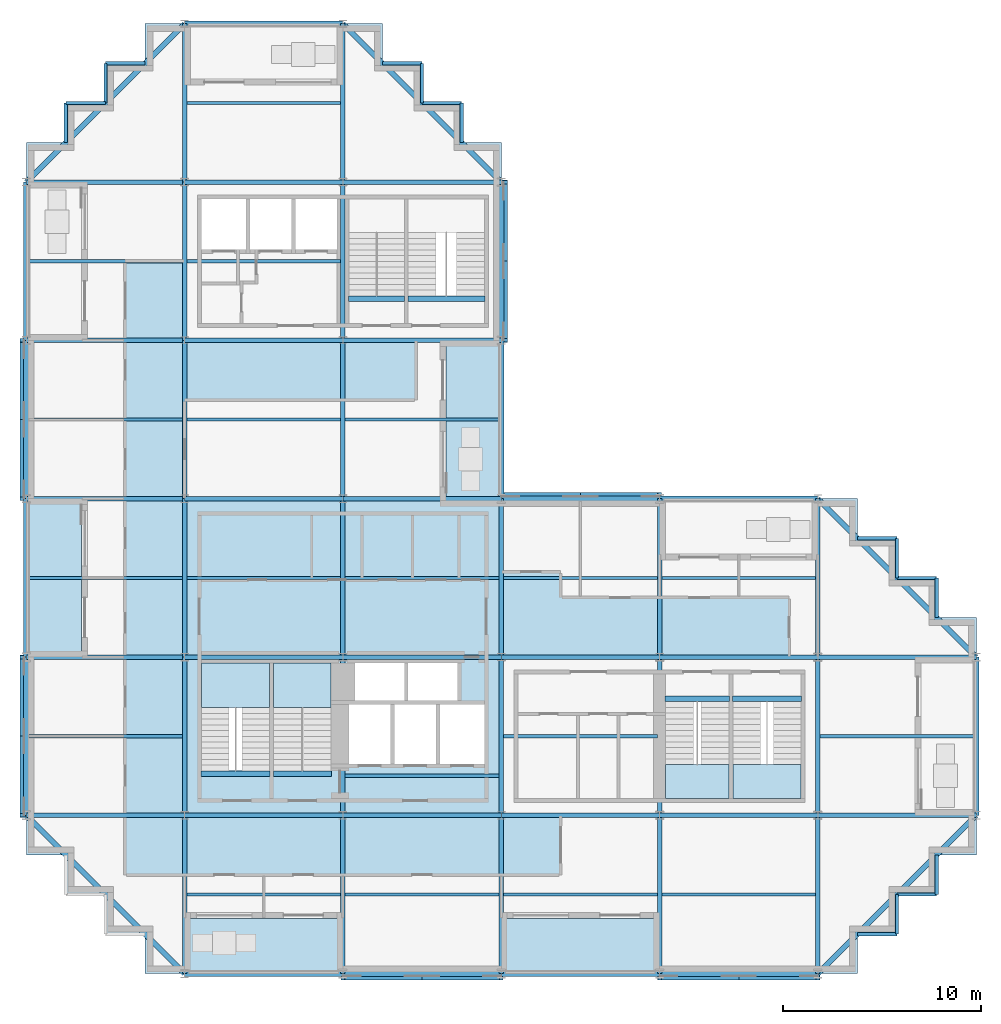
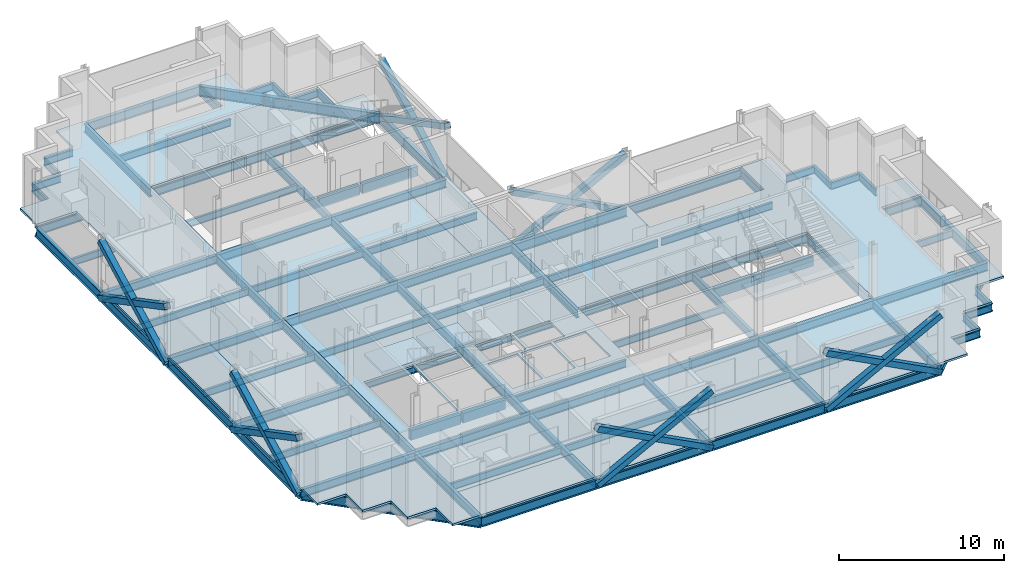
# One storey, part 3 of 12: 102 beams, 12 members, 10 slabs, 4 elements without a shape of their own.
"""IFC4 building model written with IfcOpenShell, lengths in metres."""

from ifc_helpers import new_model, si_unit, direction, frame, origin, origin_2d, place, context, subcontext, project, spatial, polyline, rectangle, hollow_rectangle, i_section, outline, extrude, material, layer, layer_set, material_profile, profile_set, type_object, element, aggregate, save


model = new_model("IFC4")

# Units and contexts
model_context = context("Model", 3, precision=1e-05, world=origin(), true_north=direction((0.0, 1.0)))
body_context = subcontext(model_context, "Body", "Model", "MODEL_VIEW")
ifc_project = project(units=[si_unit("LENGTHUNIT", "METRE"), si_unit("AREAUNIT", "SQUARE_METRE"), si_unit("VOLUMEUNIT", "CUBIC_METRE"), si_unit("PLANEANGLEUNIT", "RADIAN"), si_unit("MASSUNIT", "GRAM", prefix="KILO")], contexts=[model_context])

# Site, building, storey
site_placement = place(None, origin())
site = spatial("IfcSite", under=ifc_project, at=site_placement, CompositionType="ELEMENT")
building_placement = place(site_placement, origin())
building = spatial("IfcBuilding", under=site, at=building_placement, Name="Immortelle Media Tower", CompositionType="ELEMENT")
storey_placement = place(building_placement, frame((0.0, 0.0, 132.60009765625)))
storey = spatial("IfcBuildingStorey", under=building, at=storey_placement, Name="L26", CompositionType="ELEMENT", Elevation=132.60009765625)

# Members
ifc_material_1 = material(Name="Steel ASTM A500 Gr C", Category="steel")
ifc_material_profile_1 = material_profile(ifc_material_1, hollow_rectangle(XDim=0.406005859375, YDim=0.406005859375, WallThickness=0.011962890625, at=origin_2d()), Name="HSS16x16x1/2 brace")
ifc_profile_set_1 = profile_set([ifc_material_profile_1], Name="Steel ASTM A500 Gr C")
member_type = type_object("IfcMemberType", Name="HSS16x16x1/2 brace", PredefinedType="BRACE", material=ifc_profile_set_1)
for number, where, z_axis, x_axis, name in (
    (1, (16.0, -0.113037109375, -0.49658203125), (0.885400126936, 0.0, 0.464829662588), (0.0, 1.0, 0.0), "Brace A/3-4 A"),
    (2, (16.0, -0.113037109375, 3.703369140625), (0.885400126936, 0.0, -0.464829662588), (0.0, 1.0, 0.0), "Brace A/3-4 B"),
    (3, (32.0, -0.113037109375, -0.49658203125), (0.885400126936, 0.0, 0.464829662588), (0.0, 1.0, 0.0), "Brace A/5-6 A"),
    (4, (32.0, -0.113037109375, 3.703369140625), (0.885400126936, 0.0, -0.464829662588), (0.0, 1.0, 0.0), "Brace A/5-6 B"),
    (5, (32.0, 24.113037109375, -0.49658203125), (-0.885400126936, 0.0, 0.464829662588), (0.0, -1.0, 0.0), "Brace D/4-5 A"),
    (6, (32.0, 24.113037109375, 3.703369140625), (-0.885400126936, 0.0, -0.464829662588), (0.0, -1.0, 0.0), "Brace D/4-5 B"),
    (7, (24.113037109375, 32.0, -0.49658203125), (0.0, 0.885400126936, 0.464829662588), (-1.0, 0.0, 0.0), "Brace 4/E-F A"),
    (8, (24.113037109375, 32.0, 3.703369140625), (0.0, 0.885400126936, -0.464829662588), (-1.0, 0.0, 0.0), "Brace 4/E-F B"),
    (9, (-0.113037109375, 32.0, -0.49658203125), (0.0, -0.885400126936, 0.464829662588), (1.0, 0.0, 0.0), "Brace 1/D-E A"),
    (10, (-0.113037109375, 32.0, 3.703369140625), (0.0, -0.885400126936, -0.464829662588), (1.0, 0.0, 0.0), "Brace 1/D-E B"),
    (11, (-0.113037109375, 16.0, -0.49658203125), (0.0, -0.885400126936, 0.464829662588), (1.0, 0.0, 0.0), "Brace 1/B-C A"),
    (12, (-0.113037109375, 16.0, 3.703369140625), (0.0, -0.885400126936, -0.464829662588), (1.0, 0.0, 0.0), "Brace 1/B-C B"),
):
    element("IfcMember", number, at=place(storey_placement, frame(where, z_axis=z_axis, x_axis=x_axis)), inside=storey, type_object=member_type, Name=name, PredefinedType="BRACE", context=body_context, shape_type="SweptSolid", body=[
        extrude(hollow_rectangle(XDim=0.406005859375, YDim=0.406005859375, WallThickness=0.011962890625, at=origin_2d()), origin(), (0.0, 0.0, 1.0), 9.035400390625),
    ])

# Beams
ifc_material_2 = material(Name="Concrete C50/60", Category="concrete")
ifc_material_profile_2 = material_profile(ifc_material_2, rectangle(XDim=0.300048828125, YDim=0.699951171875, at=origin_2d()), Name="RC 300x700")
ifc_profile_set_2 = profile_set([ifc_material_profile_2], Name="Concrete C50/60")
beam_type_1 = type_object("IfcBeamType", Name="Stair trimmer beam 300 x 700", PredefinedType="BEAM", material=ifc_profile_set_2)
beam_1_placement = place(storey_placement, frame((8.830078125, 10.10498046875, -0.5), z_axis=(1.0, 0.0, 0.0), x_axis=(0.0, 1.0, 0.0)))
element("IfcBeam", 13, at=beam_1_placement, inside=storey, type_object=beam_type_1, Name="Stair trimmer beam SW1", PredefinedType="BEAM", context=body_context, shape_type="SweptSolid", body=[
    extrude(rectangle(XDim=0.300048828125, YDim=0.699951171875, at=origin_2d()), origin(), (0.0, 0.0, 1.0), 3.489990234375),
])
beam_2_placement = place(storey_placement, frame((12.47998046875, 10.10498046875, -0.5), z_axis=(1.0, 0.0, 0.0), x_axis=(0.0, 1.0, 0.0)))
element("IfcBeam", 14, at=beam_2_placement, inside=storey, type_object=beam_type_1, Name="Stair trimmer beam SW2", PredefinedType="BEAM", context=body_context, shape_type="SweptSolid", body=[
    extrude(rectangle(XDim=0.300048828125, YDim=0.699951171875, at=origin_2d()), origin(), (0.0, 0.0, 1.0), 2.93994140625),
])
beam_3_placement = place(storey_placement, frame((32.280029296875, 13.89501953125, -0.5), z_axis=(1.0, 0.0, 0.0), x_axis=(0.0, 1.0, 0.0)))
element("IfcBeam", 15, at=beam_3_placement, inside=storey, type_object=beam_type_1, Name="Stair trimmer beam SE1", PredefinedType="BEAM", context=body_context, shape_type="SweptSolid", body=[
    extrude(rectangle(XDim=0.300048828125, YDim=0.699951171875, at=origin_2d()), origin(), (0.0, 0.0, 1.0), 3.239990234375),
])
beam_4_placement = place(storey_placement, frame((35.679931640625, 13.89501953125, -0.5), z_axis=(1.0, 0.0, 0.0), x_axis=(0.0, 1.0, 0.0)))
element("IfcBeam", 16, at=beam_4_placement, inside=storey, type_object=beam_type_1, Name="Stair trimmer beam SE2", PredefinedType="BEAM", context=body_context, shape_type="SweptSolid", body=[
    extrude(rectangle(XDim=0.300048828125, YDim=0.699951171875, at=origin_2d()), origin(), (0.0, 0.0, 1.0), 3.489990234375),
])
beam_5_placement = place(storey_placement, frame((16.280029296875, 34.10498046875, -0.5), z_axis=(1.0, 0.0, 0.0), x_axis=(0.0, 1.0, 0.0)))
element("IfcBeam", 17, at=beam_5_placement, inside=storey, type_object=beam_type_1, Name="Stair trimmer beam NW1", PredefinedType="BEAM", context=body_context, shape_type="SweptSolid", body=[
    extrude(rectangle(XDim=0.300048828125, YDim=0.699951171875, at=origin_2d()), origin(), (0.0, 0.0, 1.0), 2.840087890625),
])
beam_6_placement = place(storey_placement, frame((19.280029296875, 34.10498046875, -0.5), z_axis=(1.0, 0.0, 0.0), x_axis=(0.0, 1.0, 0.0)))
element("IfcBeam", 18, at=beam_6_placement, inside=storey, type_object=beam_type_1, Name="Stair trimmer beam NW2", PredefinedType="BEAM", context=body_context, shape_type="SweptSolid", body=[
    extrude(rectangle(XDim=0.300048828125, YDim=0.699951171875, at=origin_2d()), origin(), (0.0, 0.0, 1.0), 3.889892578125),
])
ifc_material_3 = material(Name="Steel ASTM A992 Gr 50", Category="steel")
ifc_material_profile_3 = material_profile(ifc_material_3, i_section(OverallWidth=0.1650390625, OverallDepth=0.52587890625, WebThickness=0.009033203125, FlangeThickness=0.010986328125, at=origin_2d()), Name="W21x44")
ifc_profile_set_3 = profile_set([ifc_material_profile_3], Name="Steel ASTM A992 Gr 50")
beam_type_2 = type_object("IfcBeamType", Name="W21x44 secondary beam", PredefinedType="JOIST", material=ifc_profile_set_3)
for number, where, z_axis, x_axis, name in (
    (19, (8.114501953125, 4.0, -0.4130859375), (1.0, 0.0, 0.0), (0.0, 1.0, 0.0), "Beam A-B/2-3"),
    (20, (16.114501953125, 4.0, -0.4130859375), (1.0, 0.0, 0.0), (0.0, 1.0, 0.0), "Beam A-B/3-4"),
    (21, (24.114501953125, 4.0, -0.4130859375), (1.0, 0.0, 0.0), (0.0, 1.0, 0.0), "Beam A-B/4-5"),
    (22, (32.114501953125, 4.0, -0.4130859375), (1.0, 0.0, 0.0), (0.0, 1.0, 0.0), "Beam A-B/5-6"),
):
    element("IfcBeam", number, at=place(storey_placement, frame(where, z_axis=z_axis, x_axis=x_axis)), inside=storey, type_object=beam_type_2, Name=name, PredefinedType="JOIST", context=body_context, shape_type="SweptSolid", body=[
        extrude(i_section(OverallWidth=0.1650390625, OverallDepth=0.52587890625, WebThickness=0.009033203125, FlangeThickness=0.010986328125, at=origin_2d()), origin(), (0.0, 0.0, 1.0), 7.77099609375),
    ])
beam_7_placement = place(storey_placement, frame((0.12841796875, 12.0, -0.4130859375), z_axis=(1.0, 0.0, 0.0), x_axis=(0.0, 1.0, 0.0)))
element("IfcBeam", 23, at=beam_7_placement, inside=storey, type_object=beam_type_2, Name="Beam B-C/1-2", PredefinedType="JOIST", context=body_context, shape_type="SweptSolid", body=[
    extrude(i_section(OverallWidth=0.1650390625, OverallDepth=0.52587890625, WebThickness=0.009033203125, FlangeThickness=0.010986328125, at=origin_2d()), origin(), (0.0, 0.0, 1.0), 7.757080078125),
])
for number, where, z_axis, x_axis, name in (
    (24, (16.114501953125, 10.0, -0.4130859375), (1.0, 0.0, 0.0), (0.0, 1.0, 0.0), "Beam B-C/3-4"),
    (25, (24.114501953125, 12.0, -0.4130859375), (1.0, 0.0, 0.0), (0.0, 1.0, 0.0), "Beam B-C/4-5"),
):
    element("IfcBeam", number, at=place(storey_placement, frame(where, z_axis=z_axis, x_axis=x_axis)), inside=storey, type_object=beam_type_2, Name=name, PredefinedType="JOIST", context=body_context, shape_type="SweptSolid", body=[
        extrude(i_section(OverallWidth=0.1650390625, OverallDepth=0.52587890625, WebThickness=0.009033203125, FlangeThickness=0.010986328125, at=origin_2d()), origin(), (0.0, 0.0, 1.0), 7.77099609375),
    ])
for number, where, z_axis, x_axis, name in (
    (26, (40.114501953125, 12.0, -0.4130859375), (1.0, 0.0, 0.0), (0.0, 1.0, 0.0), "Beam B-C/6-7"),
    (27, (0.12841796875, 20.0, -0.4130859375), (1.0, 0.0, 0.0), (0.0, 1.0, 0.0), "Beam C-D/1-2"),
):
    element("IfcBeam", number, at=place(storey_placement, frame(where, z_axis=z_axis, x_axis=x_axis)), inside=storey, type_object=beam_type_2, Name=name, PredefinedType="JOIST", context=body_context, shape_type="SweptSolid", body=[
        extrude(i_section(OverallWidth=0.1650390625, OverallDepth=0.52587890625, WebThickness=0.009033203125, FlangeThickness=0.010986328125, at=origin_2d()), origin(), (0.0, 0.0, 1.0), 7.757080078125),
    ])
for number, where, z_axis, x_axis, name in (
    (28, (8.114501953125, 20.0, -0.4130859375), (1.0, 0.0, 0.0), (0.0, 1.0, 0.0), "Beam C-D/2-3"),
    (29, (16.114501953125, 20.0, -0.4130859375), (1.0, 0.0, 0.0), (0.0, 1.0, 0.0), "Beam C-D/3-4"),
    (30, (24.114501953125, 20.0, -0.4130859375), (1.0, 0.0, 0.0), (0.0, 1.0, 0.0), "Beam C-D/4-5"),
    (31, (32.114501953125, 20.0, -0.4130859375), (1.0, 0.0, 0.0), (0.0, 1.0, 0.0), "Beam C-D/5-6"),
):
    element("IfcBeam", number, at=place(storey_placement, frame(where, z_axis=z_axis, x_axis=x_axis)), inside=storey, type_object=beam_type_2, Name=name, PredefinedType="JOIST", context=body_context, shape_type="SweptSolid", body=[
        extrude(i_section(OverallWidth=0.1650390625, OverallDepth=0.52587890625, WebThickness=0.009033203125, FlangeThickness=0.010986328125, at=origin_2d()), origin(), (0.0, 0.0, 1.0), 7.77099609375),
    ])
beam_8_placement = place(storey_placement, frame((0.12841796875, 28.0, -0.4130859375), z_axis=(1.0, 0.0, 0.0), x_axis=(0.0, 1.0, 0.0)))
element("IfcBeam", 32, at=beam_8_placement, inside=storey, type_object=beam_type_2, Name="Beam D-E/1-2", PredefinedType="JOIST", context=body_context, shape_type="SweptSolid", body=[
    extrude(i_section(OverallWidth=0.1650390625, OverallDepth=0.52587890625, WebThickness=0.009033203125, FlangeThickness=0.010986328125, at=origin_2d()), origin(), (0.0, 0.0, 1.0), 7.757080078125),
])
beam_9_placement = place(storey_placement, frame((8.114501953125, 28.0, -0.4130859375), z_axis=(1.0, 0.0, 0.0), x_axis=(0.0, 1.0, 0.0)))
element("IfcBeam", 33, at=beam_9_placement, inside=storey, type_object=beam_type_2, Name="Beam D-E/2-3", PredefinedType="JOIST", context=body_context, shape_type="SweptSolid", body=[
    extrude(i_section(OverallWidth=0.1650390625, OverallDepth=0.52587890625, WebThickness=0.009033203125, FlangeThickness=0.010986328125, at=origin_2d()), origin(), (0.0, 0.0, 1.0), 7.77099609375),
])
for number, where, z_axis, x_axis, name in (
    (34, (16.114501953125, 28.0, -0.4130859375), (1.0, 0.0, 0.0), (0.0, 1.0, 0.0), "Beam D-E/3-4"),
    (35, (0.12841796875, 36.0, -0.4130859375), (1.0, 0.0, 0.0), (0.0, 1.0, 0.0), "Beam E-F/1-2"),
):
    element("IfcBeam", number, at=place(storey_placement, frame(where, z_axis=z_axis, x_axis=x_axis)), inside=storey, type_object=beam_type_2, Name=name, PredefinedType="JOIST", context=body_context, shape_type="SweptSolid", body=[
        extrude(i_section(OverallWidth=0.1650390625, OverallDepth=0.52587890625, WebThickness=0.009033203125, FlangeThickness=0.010986328125, at=origin_2d()), origin(), (0.0, 0.0, 1.0), 7.757080078125),
    ])
for number, where, z_axis, x_axis, name in (
    (36, (8.114501953125, 36.0, -0.4130859375), (1.0, 0.0, 0.0), (0.0, 1.0, 0.0), "Beam E-F/2-3"),
    (37, (8.114501953125, 44.0, -0.4130859375), (1.0, 0.0, 0.0), (0.0, 1.0, 0.0), "Beam F-G/2-3"),
):
    element("IfcBeam", number, at=place(storey_placement, frame(where, z_axis=z_axis, x_axis=x_axis)), inside=storey, type_object=beam_type_2, Name=name, PredefinedType="JOIST", context=body_context, shape_type="SweptSolid", body=[
        extrude(i_section(OverallWidth=0.1650390625, OverallDepth=0.52587890625, WebThickness=0.009033203125, FlangeThickness=0.010986328125, at=origin_2d()), origin(), (0.0, 0.0, 1.0), 7.77099609375),
    ])
ifc_material_profile_4 = material_profile(ifc_material_3, i_section(OverallWidth=0.1650390625, OverallDepth=0.52587890625, WebThickness=0.009033203125, FlangeThickness=0.010986328125, at=origin_2d()), Name="W21x44")
ifc_profile_set_4 = profile_set([ifc_material_profile_4], Name="Steel ASTM A992 Gr 50")
beam_type_3 = type_object("IfcBeamType", Name="W21x44 serration edge beam", PredefinedType="SPANDREL", material=ifc_profile_set_4)
for number, where, z_axis, x_axis, name in (
    (38, (2.0, 42.0, -0.4130859375), (0.0, 1.0, 0.0), (-1.0, 0.0, 0.0), "Corner edge beam 1 at 1/G"),
    (39, (2.0, 44.0, -0.4130859375), (1.0, 0.0, 0.0), (0.0, 1.0, 0.0), "Corner edge beam 2 at 1/G"),
    (40, (4.0, 44.0, -0.4130859375), (0.0, 1.0, 0.0), (-1.0, 0.0, 0.0), "Corner edge beam 3 at 1/G"),
    (41, (4.0, 46.0, -0.4130859375), (1.0, 0.0, 0.0), (0.0, 1.0, 0.0), "Corner edge beam 4 at 1/G"),
    (42, (18.0, 46.0, -0.4130859375), (1.0, 0.0, 0.0), (0.0, 1.0, 0.0), "Corner edge beam 1 at 4/G"),
    (43, (20.0, 46.0, -0.4130859375), (0.0, -1.0, 0.0), (1.0, 0.0, 0.0), "Corner edge beam 2 at 4/G"),
    (44, (20.0, 44.0, -0.4130859375), (1.0, 0.0, 0.0), (0.0, 1.0, 0.0), "Corner edge beam 3 at 4/G"),
    (45, (22.0, 44.0, -0.4130859375), (0.0, -1.0, 0.0), (1.0, 0.0, 0.0), "Corner edge beam 4 at 4/G"),
    (46, (46.0, 6.0, -0.4130859375), (0.0, -1.0, 0.0), (1.0, 0.0, 0.0), "Corner edge beam 1 at 7/A"),
    (47, (46.0, 4.0, -0.4130859375), (-1.0, 0.0, 0.0), (0.0, -1.0, 0.0), "Corner edge beam 2 at 7/A"),
    (48, (44.0, 4.0, -0.4130859375), (0.0, -1.0, 0.0), (1.0, 0.0, 0.0), "Corner edge beam 3 at 7/A"),
    (49, (44.0, 2.0, -0.4130859375), (-1.0, 0.0, 0.0), (0.0, -1.0, 0.0), "Corner edge beam 4 at 7/A"),
    (50, (42.0, 22.0, -0.4130859375), (1.0, 0.0, 0.0), (0.0, 1.0, 0.0), "Corner edge beam 1 at 7/D"),
    (51, (44.0, 22.0, -0.4130859375), (0.0, -1.0, 0.0), (1.0, 0.0, 0.0), "Corner edge beam 2 at 7/D"),
    (52, (44.0, 20.0, -0.4130859375), (1.0, 0.0, 0.0), (0.0, 1.0, 0.0), "Corner edge beam 3 at 7/D"),
    (53, (46.0, 20.0, -0.4130859375), (0.0, -1.0, 0.0), (1.0, 0.0, 0.0), "Corner edge beam 4 at 7/D"),
):
    element("IfcBeam", number, at=place(storey_placement, frame(where, z_axis=z_axis, x_axis=x_axis)), inside=storey, type_object=beam_type_3, Name=name, PredefinedType="SPANDREL", context=body_context, shape_type="SweptSolid", body=[
        extrude(i_section(OverallWidth=0.1650390625, OverallDepth=0.52587890625, WebThickness=0.009033203125, FlangeThickness=0.010986328125, at=origin_2d()), origin(), (0.0, 0.0, 1.0), 2.0),
    ])
ifc_material_profile_5 = material_profile(ifc_material_3, i_section(OverallWidth=0.22900390625, OverallDepth=0.612060546875, WebThickness=0.011962890625, FlangeThickness=0.02001953125, at=origin_2d()), Name="W24x84")
ifc_profile_set_5 = profile_set([ifc_material_profile_5], Name="Steel ASTM A992 Gr 50")
beam_type_4 = type_object("IfcBeamType", Name="W24x84 girder", PredefinedType="BEAM", material=ifc_profile_set_5)
for number, where, z_axis, x_axis, name in (
    (54, (0.0, 8.0, -0.4560546875), (1.0, 0.0, 0.0), (0.0, 1.0, 0.0), "Girder B/1-2"),
    (55, (0.0, 16.0, -0.4560546875), (1.0, 0.0, 0.0), (0.0, 1.0, 0.0), "Girder C/1-2"),
    (56, (0.0, 24.0, -0.4560546875), (1.0, 0.0, 0.0), (0.0, 1.0, 0.0), "Girder D/1-2"),
    (57, (0.0, 32.0, -0.4560546875), (1.0, 0.0, 0.0), (0.0, 1.0, 0.0), "Girder E/1-2"),
    (58, (0.0, 40.0, -0.4560546875), (1.0, 0.0, 0.0), (0.0, 1.0, 0.0), "Girder F/1-2"),
    (59, (8.0, 0.0, -0.4560546875), (0.0, 1.0, 0.0), (-1.0, 0.0, 0.0), "Girder 2/A-B"),
    (60, (8.0, 8.0, -0.4560546875), (1.0, 0.0, 0.0), (0.0, 1.0, 0.0), "Girder B/2-3"),
    (61, (8.0, 8.0, -0.4560546875), (0.0, 1.0, 0.0), (-1.0, 0.0, 0.0), "Girder 2/B-C"),
    (62, (8.0, 16.0, -0.4560546875), (1.0, 0.0, 0.0), (0.0, 1.0, 0.0), "Girder C/2-3"),
    (63, (8.0, 16.0, -0.4560546875), (0.0, 1.0, 0.0), (-1.0, 0.0, 0.0), "Girder 2/C-D"),
    (64, (8.0, 24.0, -0.4560546875), (1.0, 0.0, 0.0), (0.0, 1.0, 0.0), "Girder D/2-3"),
    (65, (8.0, 24.0, -0.4560546875), (0.0, 1.0, 0.0), (-1.0, 0.0, 0.0), "Girder 2/D-E"),
    (66, (8.0, 32.0, -0.4560546875), (1.0, 0.0, 0.0), (0.0, 1.0, 0.0), "Girder E/2-3"),
    (67, (8.0, 32.0, -0.4560546875), (0.0, 1.0, 0.0), (-1.0, 0.0, 0.0), "Girder 2/E-F"),
    (68, (8.0, 40.0, -0.4560546875), (1.0, 0.0, 0.0), (0.0, 1.0, 0.0), "Girder F/2-3"),
    (69, (8.0, 40.0, -0.4560546875), (0.0, 1.0, 0.0), (-1.0, 0.0, 0.0), "Girder 2/F-G"),
    (70, (16.0, 0.0, -0.4560546875), (0.0, 1.0, 0.0), (-1.0, 0.0, 0.0), "Girder 3/A-B"),
    (71, (16.0, 8.0, -0.4560546875), (1.0, 0.0, 0.0), (0.0, 1.0, 0.0), "Girder B/3-4"),
    (72, (16.0, 8.0, -0.4560546875), (0.0, 1.0, 0.0), (-1.0, 0.0, 0.0), "Girder 3/B-C"),
    (73, (16.0, 16.0, -0.4560546875), (1.0, 0.0, 0.0), (0.0, 1.0, 0.0), "Girder C/3-4"),
    (74, (16.0, 16.0, -0.4560546875), (0.0, 1.0, 0.0), (-1.0, 0.0, 0.0), "Girder 3/C-D"),
    (75, (16.0, 24.0, -0.4560546875), (1.0, 0.0, 0.0), (0.0, 1.0, 0.0), "Girder D/3-4"),
    (76, (16.0, 24.0, -0.4560546875), (0.0, 1.0, 0.0), (-1.0, 0.0, 0.0), "Girder 3/D-E"),
    (77, (16.0, 32.0, -0.4560546875), (1.0, 0.0, 0.0), (0.0, 1.0, 0.0), "Girder E/3-4"),
    (78, (16.0, 32.0, -0.4560546875), (0.0, 1.0, 0.0), (-1.0, 0.0, 0.0), "Girder 3/E-F"),
    (79, (16.0, 40.0, -0.4560546875), (1.0, 0.0, 0.0), (0.0, 1.0, 0.0), "Girder F/3-4"),
    (80, (16.0, 40.0, -0.4560546875), (0.0, 1.0, 0.0), (-1.0, 0.0, 0.0), "Girder 3/F-G"),
    (81, (24.0, 0.0, -0.4560546875), (0.0, 1.0, 0.0), (-1.0, 0.0, 0.0), "Girder 4/A-B"),
    (82, (24.0, 8.0, -0.4560546875), (1.0, 0.0, 0.0), (0.0, 1.0, 0.0), "Girder B/4-5"),
    (83, (24.0, 8.0, -0.4560546875), (0.0, 1.0, 0.0), (-1.0, 0.0, 0.0), "Girder 4/B-C"),
    (84, (24.0, 16.0, -0.4560546875), (1.0, 0.0, 0.0), (0.0, 1.0, 0.0), "Girder C/4-5"),
    (85, (24.0, 16.0, -0.4560546875), (0.0, 1.0, 0.0), (-1.0, 0.0, 0.0), "Girder 4/C-D"),
    (86, (32.0, 0.0, -0.4560546875), (0.0, 1.0, 0.0), (-1.0, 0.0, 0.0), "Girder 5/A-B"),
    (87, (32.0, 8.0, -0.4560546875), (1.0, 0.0, 0.0), (0.0, 1.0, 0.0), "Girder B/5-6"),
    (88, (32.0, 8.0, -0.4560546875), (0.0, 1.0, 0.0), (-1.0, 0.0, 0.0), "Girder 5/B-C"),
    (89, (32.0, 16.0, -0.4560546875), (1.0, 0.0, 0.0), (0.0, 1.0, 0.0), "Girder C/5-6"),
    (90, (32.0, 16.0, -0.4560546875), (0.0, 1.0, 0.0), (-1.0, 0.0, 0.0), "Girder 5/C-D"),
    (91, (40.0, 0.0, -0.4560546875), (0.0, 1.0, 0.0), (-1.0, 0.0, 0.0), "Girder 6/A-B"),
    (92, (40.0, 8.0, -0.4560546875), (1.0, 0.0, 0.0), (0.0, 1.0, 0.0), "Girder B/6-7"),
    (93, (40.0, 8.0, -0.4560546875), (0.0, 1.0, 0.0), (-1.0, 0.0, 0.0), "Girder 6/B-C"),
    (94, (40.0, 16.0, -0.4560546875), (1.0, 0.0, 0.0), (0.0, 1.0, 0.0), "Girder C/6-7"),
    (95, (40.0, 16.0, -0.4560546875), (0.0, 1.0, 0.0), (-1.0, 0.0, 0.0), "Girder 6/C-D"),
):
    element("IfcBeam", number, at=place(storey_placement, frame(where, z_axis=z_axis, x_axis=x_axis)), inside=storey, type_object=beam_type_4, Name=name, PredefinedType="BEAM", context=body_context, shape_type="SweptSolid", body=[
        extrude(i_section(OverallWidth=0.22900390625, OverallDepth=0.612060546875, WebThickness=0.011962890625, FlangeThickness=0.02001953125, at=origin_2d()), origin(), (0.0, 0.0, 1.0), 8.0),
    ])
ifc_material_profile_6 = material_profile(ifc_material_3, i_section(OverallWidth=0.257080078125, OverallDepth=0.693115234375, WebThickness=0.013916015625, FlangeThickness=0.02392578125, at=origin_2d()), Name="W27x114")
ifc_profile_set_6 = profile_set([ifc_material_profile_6], Name="Steel ASTM A992 Gr 50")
beam_type_5 = type_object("IfcBeamType", Name="W27x114 perimeter girder", PredefinedType="SPANDREL", material=ifc_profile_set_6)
for number, where, z_axis, x_axis, name in (
    (96, (0.0, 8.0, -0.49658203125), (0.0, 1.0, 0.0), (-1.0, 0.0, 0.0), "Girder 1/B-C"),
    (97, (0.0, 16.0, -0.49658203125), (0.0, 1.0, 0.0), (-1.0, 0.0, 0.0), "Girder 1/C-D"),
    (98, (0.0, 24.0, -0.49658203125), (0.0, 1.0, 0.0), (-1.0, 0.0, 0.0), "Girder 1/D-E"),
    (99, (0.0, 32.0, -0.49658203125), (0.0, 1.0, 0.0), (-1.0, 0.0, 0.0), "Girder 1/E-F"),
    (100, (8.0, 0.0, -0.49658203125), (1.0, 0.0, 0.0), (0.0, 1.0, 0.0), "Girder A/2-3"),
    (101, (8.0, 48.0, -0.49658203125), (1.0, 0.0, 0.0), (0.0, 1.0, 0.0), "Girder G/2-3"),
    (102, (16.0, 0.0, -0.49658203125), (1.0, 0.0, 0.0), (0.0, 1.0, 0.0), "Girder A/3-4"),
    (103, (24.0, 0.0, -0.49658203125), (1.0, 0.0, 0.0), (0.0, 1.0, 0.0), "Girder A/4-5"),
    (104, (24.0, 24.0, -0.49658203125), (1.0, 0.0, 0.0), (0.0, 1.0, 0.0), "Girder D/4-5"),
    (105, (24.0, 24.0, -0.49658203125), (0.0, 1.0, 0.0), (-1.0, 0.0, 0.0), "Girder 4/D-E"),
    (106, (24.0, 32.0, -0.49658203125), (0.0, 1.0, 0.0), (-1.0, 0.0, 0.0), "Girder 4/E-F"),
    (107, (32.0, 0.0, -0.49658203125), (1.0, 0.0, 0.0), (0.0, 1.0, 0.0), "Girder A/5-6"),
    (108, (32.0, 24.0, -0.49658203125), (1.0, 0.0, 0.0), (0.0, 1.0, 0.0), "Girder D/5-6"),
    (109, (48.0, 8.0, -0.49658203125), (0.0, 1.0, 0.0), (-1.0, 0.0, 0.0), "Girder 7/B-C"),
):
    element("IfcBeam", number, at=place(storey_placement, frame(where, z_axis=z_axis, x_axis=x_axis)), inside=storey, type_object=beam_type_5, Name=name, PredefinedType="SPANDREL", context=body_context, shape_type="SweptSolid", body=[
        extrude(i_section(OverallWidth=0.257080078125, OverallDepth=0.693115234375, WebThickness=0.013916015625, FlangeThickness=0.02392578125, at=origin_2d()), origin(), (0.0, 0.0, 1.0), 8.0),
    ])
ifc_material_profile_7 = material_profile(ifc_material_3, i_section(OverallWidth=0.26708984375, OverallDepth=0.761962890625, WebThickness=0.013916015625, FlangeThickness=0.02197265625, at=origin_2d()), Name="W30x116")
ifc_profile_set_7 = profile_set([ifc_material_profile_7], Name="Steel ASTM A992 Gr 50")
beam_type_6 = type_object("IfcBeamType", Name="W30x116 corner girder", PredefinedType="SPANDREL", material=ifc_profile_set_7)
for number, where, z_axis, x_axis, name in (
    (110, (8.0, 0.0, -0.531005859375), (-0.707106781187, 0.707106781187, 0.0), (-0.707106781187, -0.707106781187, 0.0), "Corner girder at 1/A"),
    (111, (0.0, 40.0, -0.531005859375), (0.707106781187, 0.707106781187, 0.0), (-0.707106781187, 0.707106781187, 0.0), "Corner girder at 1/G"),
    (112, (16.0, 48.0, -0.531005859375), (0.707106781187, -0.707106781187, 0.0), (0.707106781187, 0.707106781187, 0.0), "Corner girder at 4/G"),
    (113, (48.0, 8.0, -0.531005859375), (-0.707106781187, -0.707106781187, 0.0), (0.707106781187, -0.707106781187, 0.0), "Corner girder at 7/A"),
    (114, (40.0, 24.0, -0.531005859375), (0.707106781187, -0.707106781187, 0.0), (0.707106781187, 0.707106781187, 0.0), "Corner girder at 7/D"),
):
    element("IfcBeam", number, at=place(storey_placement, frame(where, z_axis=z_axis, x_axis=x_axis)), inside=storey, type_object=beam_type_6, Name=name, PredefinedType="SPANDREL", context=body_context, shape_type="SweptSolid", body=[
        extrude(i_section(OverallWidth=0.26708984375, OverallDepth=0.761962890625, WebThickness=0.013916015625, FlangeThickness=0.02197265625, at=origin_2d()), origin(), (0.0, 0.0, 1.0), 11.313720703125),
    ])

# Slabs
ifc_material_4 = material(Name="Concrete C50/60 composite deck", Category="concrete")
ifc_layer_1 = layer(ifc_material_4, 0.14990234375)
ifc_layer_set_1 = layer_set([ifc_layer_1], Name="Concrete C50/60 composite deck")
slab_type_1 = type_object("IfcSlabType", Name="Balcony slab 150", PredefinedType="FLOOR", material=ifc_layer_set_1)
slab_1_placement = place(storey_placement, frame((0.0, 0.0, -0.150146484375)))
element("IfcSlab", 115, at=slab_1_placement, inside=storey, type_object=slab_type_1, Name="Balcony slab L26 S0", PredefinedType="FLOOR", context=body_context, shape_type="SweptSolid", body=[
    extrude(outline(polyline([(16.0, 0.0), (16.0, 2.800048828125), (8.0, 2.800048828125), (8.0, 0.0), (16.0, 0.0)])), origin(), (0.0, 0.0, 1.0), 0.150146484375),
])
slab_2_placement = place(storey_placement, frame((0.0, 0.0, -0.150146484375)))
element("IfcSlab", 116, at=slab_2_placement, inside=storey, type_object=slab_type_1, Name="Balcony slab L26 S2", PredefinedType="FLOOR", context=body_context, shape_type="SweptSolid", body=[
    extrude(outline(polyline([(32.0, 0.0), (32.0, 2.800048828125), (24.0, 2.800048828125), (24.0, 0.0), (32.0, 0.0)])), origin(), (0.0, 0.0, 1.0), 0.150146484375),
])
slab_3_placement = place(storey_placement, frame((0.0, 0.0, -0.150146484375)))
element("IfcSlab", 117, at=slab_3_placement, inside=storey, type_object=slab_type_1, Name="Balcony slab L26 E0", PredefinedType="FLOOR", context=body_context, shape_type="SweptSolid", body=[
    extrude(outline(polyline([(24.0, 24.0), (24.0, 32.0), (21.199951171875, 32.0), (21.199951171875, 24.0), (24.0, 24.0)])), origin(), (0.0, 0.0, 1.0), 0.150146484375),
])
slab_4_placement = place(storey_placement, frame((0.0, 0.0, -0.150146484375)))
element("IfcSlab", 118, at=slab_4_placement, inside=storey, type_object=slab_type_1, Name="Balcony slab L26 W2", PredefinedType="FLOOR", context=body_context, shape_type="SweptSolid", body=[
    extrude(outline(polyline([(2.800048828125, 16.0), (2.800048828125, 24.0), (0.0, 24.0), (0.0, 16.0), (2.800048828125, 16.0)])), origin(), (0.0, 0.0, 1.0), 0.150146484375),
])
ifc_layer_2 = layer(ifc_material_2, 0.14990234375)
ifc_layer_set_2 = layer_set([ifc_layer_2], Name="Concrete C50/60")
slab_type_2 = type_object("IfcSlabType", Name="Composite floor slab 150", PredefinedType="FLOOR", material=ifc_layer_set_2)
slab_5_placement = place(storey_placement, frame((0.0, 0.0, -0.150146484375)))
element("IfcSlab", 119, at=slab_5_placement, inside=storey, type_object=slab_type_2, Name="Floor slab L26", PredefinedType="FLOOR", context=body_context, shape_type="SweptSolid", body=[
    extrude(outline(polyline([(6.0, 0.0), (6.0, 2.0), (4.0, 2.0), (4.0, 4.0), (2.0, 4.0), (2.0, 6.0), (0.0, 6.0), (0.0, 16.0), (2.800048828125, 16.0), (2.800048828125, 24.0), (0.0, 24.0), (0.0, 32.0), (2.800048828125, 32.0), (2.800048828125, 40.0), (0.0, 40.0), (0.0, 42.0), (2.0, 42.0), (2.0, 44.0), (4.0, 44.0), (4.0, 46.0), (6.0, 46.0), (6.0, 48.0), (8.0, 48.0), (8.0, 45.199951171875), (16.0, 45.199951171875), (16.0, 48.0), (18.0, 48.0), (18.0, 46.0), (20.0, 46.0), (20.0, 44.0), (22.0, 44.0), (22.0, 42.0), (24.0, 42.0), (24.0, 40.0), (8.0, 40.0), (8.0, 32.0), (21.199951171875, 32.0), (21.199951171875, 24.0), (8.0, 24.0), (8.0, 8.0), (24.0, 8.0), (40.0, 8.0), (40.0, 16.0), (24.0, 16.0), (24.0, 24.0), (32.0, 24.0), (32.0, 21.199951171875), (40.0, 21.199951171875), (40.0, 24.0), (42.0, 24.0), (42.0, 22.0), (44.0, 22.0), (44.0, 20.0), (46.0, 20.0), (46.0, 18.0), (48.0, 18.0), (48.0, 16.0), (45.199951171875, 16.0), (45.199951171875, 8.0), (48.0, 8.0), (48.0, 6.0), (46.0, 6.0), (46.0, 4.0), (44.0, 4.0), (44.0, 2.0), (42.0, 2.0), (42.0, 0.0), (32.0, 0.0), (32.0, 2.800048828125), (24.0, 2.800048828125), (24.0, 0.0), (16.0, 0.0), (16.0, 2.800048828125), (8.0, 2.800048828125), (8.0, 0.0), (6.0, 0.0)])), origin(), (0.0, 0.0, 1.0), 0.150146484375),
])
ifc_layer_3 = layer(ifc_material_2, 0.14990234375)
ifc_layer_set_3 = layer_set([ifc_layer_3], Name="Concrete C50/60")
slab_type_3 = type_object("IfcSlabType", Name="Core floor slab 150", PredefinedType="FLOOR", material=ifc_layer_set_3)
slab_6_placement = place(storey_placement, frame((0.0, 0.0, -0.150146484375)))
element("IfcSlab", 120, at=slab_6_placement, inside=storey, type_object=slab_type_3, Name="Core floor SW", PredefinedType="FLOOR", context=body_context, shape_type="SweptSolid", body=[
    extrude(outline(polyline([(8.0, 8.0), (24.0, 8.0), (24.0, 24.0), (8.0, 24.0), (8.0, 8.0)]), holes=[polyline([(16.60009765625, 13.800048828125), (19.10009765625, 13.800048828125), (19.10009765625, 15.699951171875), (16.60009765625, 15.699951171875), (16.60009765625, 13.800048828125)]), polyline([(19.300048828125, 13.800048828125), (21.800048828125, 13.800048828125), (21.800048828125, 15.699951171875), (19.300048828125, 15.699951171875), (19.300048828125, 13.800048828125)]), polyline([(16.300048828125, 10.60009765625), (18.39990234375, 10.60009765625), (18.39990234375, 13.60009765625), (16.300048828125, 13.60009765625), (16.300048828125, 10.60009765625)]), polyline([(18.60009765625, 10.60009765625), (20.699951171875, 10.60009765625), (20.699951171875, 13.60009765625), (18.60009765625, 13.60009765625), (18.60009765625, 10.60009765625)]), polyline([(20.89990234375, 10.60009765625), (23.14990234375, 10.60009765625), (23.14990234375, 13.60009765625), (20.89990234375, 13.60009765625), (20.89990234375, 10.60009765625)]), polyline([(8.85009765625, 10.27001953125), (12.300048828125, 10.27001953125), (12.300048828125, 15.699951171875), (8.85009765625, 15.699951171875), (8.85009765625, 10.27001953125)]), polyline([(12.5, 10.27001953125), (15.39990234375, 10.27001953125), (15.39990234375, 15.699951171875), (12.5, 15.699951171875), (12.5, 10.27001953125)])]), origin(), (0.0, 0.0, 1.0), 0.150146484375),
])

# Stair, slab
stair_type = type_object("IfcStairType", Name="Stair with flights", PredefinedType="DOUBLE_RETURN_STAIR", material=ifc_material_3)
stair_1_placement = place(storey_placement, origin())
stair_1 = element("IfcStair", 121, at=stair_1_placement, inside=storey, type_object=stair_type, Name="Exit stair SW1", PredefinedType="DOUBLE_RETURN_STAIR")
ifc_material_5 = material(Name="Steel ASTM A572 Gr 50", Category="steel")
ifc_layer_4 = layer(ifc_material_5, 0.199951171875)
ifc_layer_set_4 = layer_set([ifc_layer_4], Name="Steel ASTM A572 Gr 50")
slab_type_4 = type_object("IfcSlabType", Name="Stair landing 200", PredefinedType="LANDING", material=ifc_layer_set_4)
slab_7_placement = place(storey_placement, frame((0.0, 0.0, 1.89990234375)))
slab_7 = element("IfcSlab", 122, at=slab_7_placement, type_object=slab_type_4, Name="ST SW1 landing 1", PredefinedType="LANDING", context=body_context, shape_type="SweptSolid", body=[
    extrude(outline(polyline([(8.85009765625, 13.43994140625), (12.300048828125, 13.43994140625), (12.300048828125, 15.699951171875), (8.85009765625, 15.699951171875), (8.85009765625, 13.43994140625)])), origin(), (0.0, 0.0, 1.0), 0.199951171875),
])
aggregate(stair_1, [slab_7])

stair_2_placement = place(storey_placement, origin())
stair_2 = element("IfcStair", 123, at=stair_2_placement, inside=storey, type_object=stair_type, Name="Exit stair SW2", PredefinedType="DOUBLE_RETURN_STAIR")
slab_8_placement = place(storey_placement, frame((0.0, 0.0, 1.89990234375)))
slab_8 = element("IfcSlab", 124, at=slab_8_placement, type_object=slab_type_4, Name="ST SW2 landing 1", PredefinedType="LANDING", context=body_context, shape_type="SweptSolid", body=[
    extrude(outline(polyline([(12.5, 13.43994140625), (15.39990234375, 13.43994140625), (15.39990234375, 15.699951171875), (12.5, 15.699951171875), (12.5, 13.43994140625)])), origin(), (0.0, 0.0, 1.0), 0.199951171875),
])
aggregate(stair_2, [slab_8])

stair_3_placement = place(storey_placement, origin())
stair_3 = element("IfcStair", 125, at=stair_3_placement, inside=storey, type_object=stair_type, Name="Exit stair SE1", PredefinedType="DOUBLE_RETURN_STAIR")
slab_9_placement = place(storey_placement, frame((0.0, 0.0, 1.89990234375)))
slab_9 = element("IfcSlab", 126, at=slab_9_placement, type_object=slab_type_4, Name="ST SE1 landing 1", PredefinedType="LANDING", context=body_context, shape_type="SweptSolid", body=[
    extrude(outline(polyline([(32.300048828125, 8.85009765625), (35.5, 8.85009765625), (35.5, 10.56005859375), (32.300048828125, 10.56005859375), (32.300048828125, 8.85009765625)])), origin(), (0.0, 0.0, 1.0), 0.199951171875),
])
aggregate(stair_3, [slab_9])

stair_4_placement = place(storey_placement, origin())
stair_4 = element("IfcStair", 127, at=stair_4_placement, inside=storey, type_object=stair_type, Name="Exit stair SE2", PredefinedType="DOUBLE_RETURN_STAIR")
slab_10_placement = place(storey_placement, frame((0.0, 0.0, 1.89990234375)))
slab_10 = element("IfcSlab", 128, at=slab_10_placement, type_object=slab_type_4, Name="ST SE2 landing 1", PredefinedType="LANDING", context=body_context, shape_type="SweptSolid", body=[
    extrude(outline(polyline([(35.699951171875, 8.85009765625), (39.14990234375, 8.85009765625), (39.14990234375, 10.56005859375), (35.699951171875, 10.56005859375), (35.699951171875, 8.85009765625)])), origin(), (0.0, 0.0, 1.0), 0.199951171875),
])
aggregate(stair_4, [slab_10])

save(model, "model.ifc")
